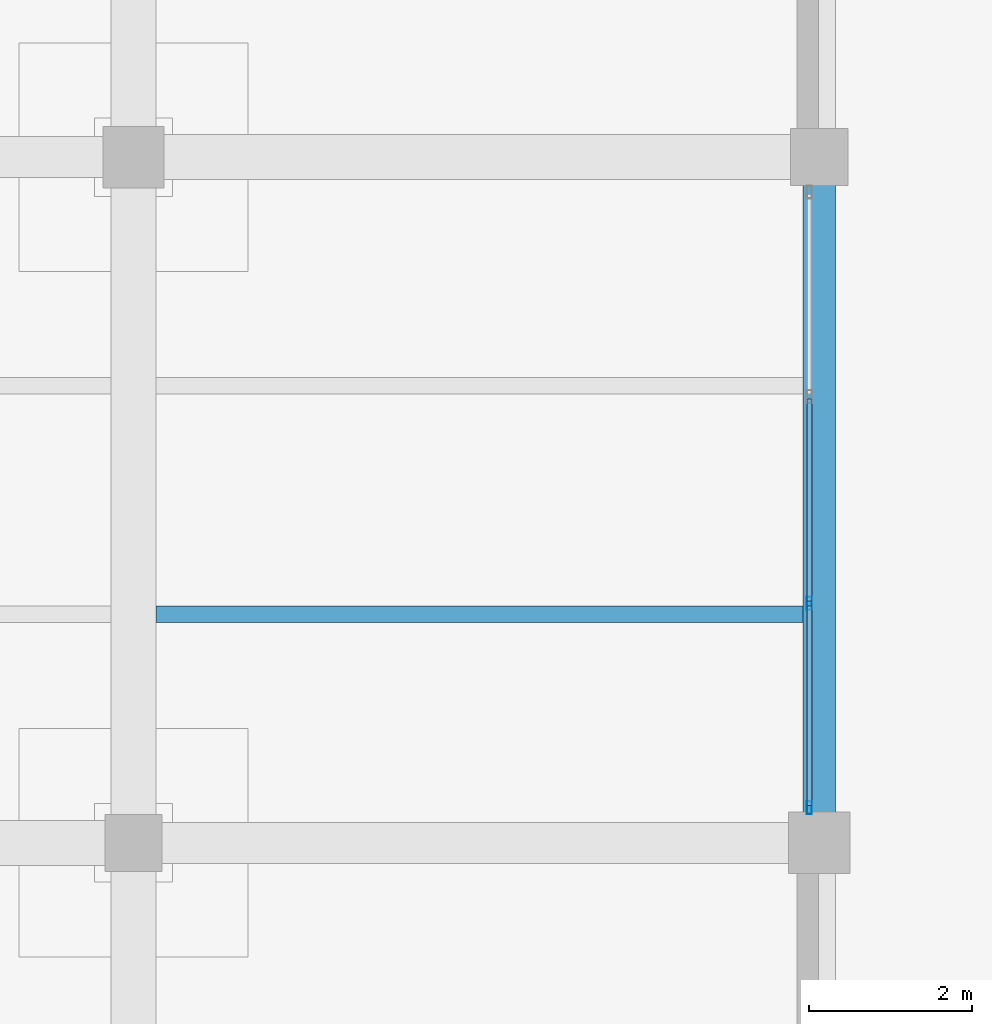
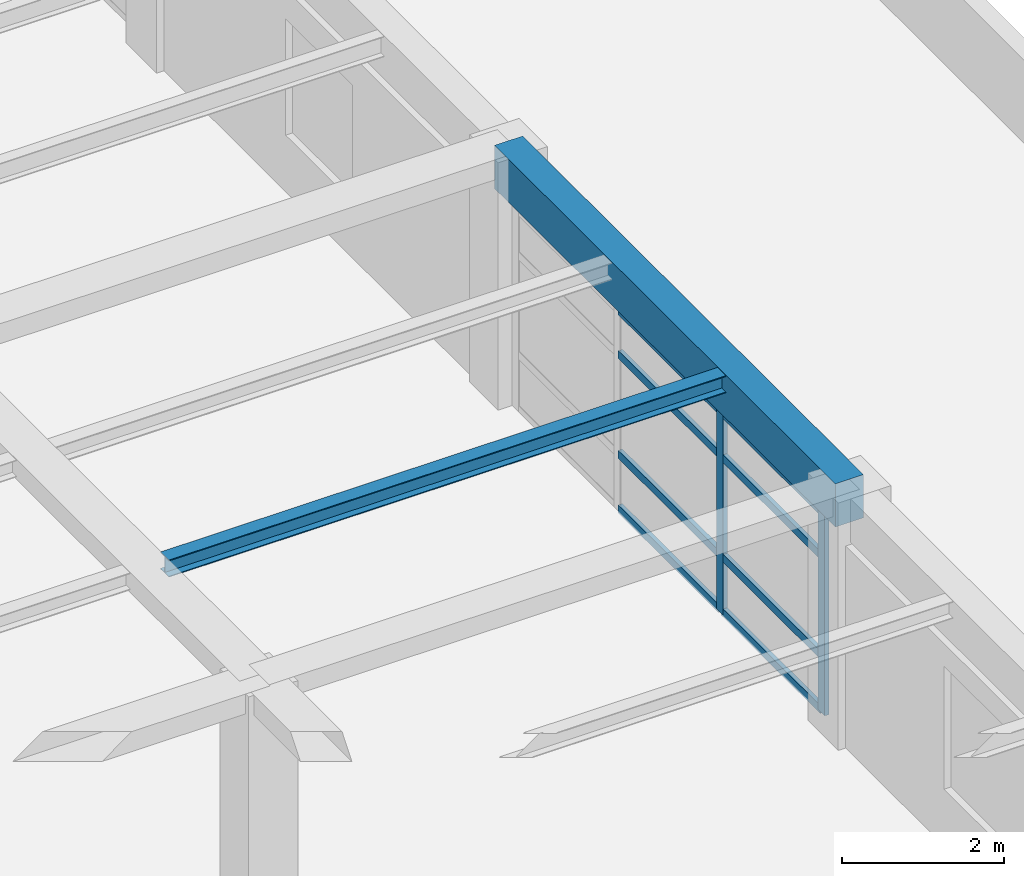
# One storey, part 18 of 35: 10 members, 2 beams, 1 element without a shape of its own.
"""IFC4 building model written with IfcOpenShell, lengths in metres."""

from ifc_helpers import new_model, si_unit, direction, frame, origin, origin_2d, place, context, subcontext, project, spatial, rectangle, hollow_rectangle, i_section, extrude, material, material_profile, profile_set, type_object, element, aggregate, save


model = new_model("IFC4")

# Units and contexts
model_context = context("Model", 3, precision=1e-05, world=origin(), true_north=direction((0.0, 1.0)))
body_context = subcontext(model_context, "Body", "Model", "MODEL_VIEW")
ifc_project = project(units=[si_unit("LENGTHUNIT", "METRE"), si_unit("AREAUNIT", "SQUARE_METRE"), si_unit("VOLUMEUNIT", "CUBIC_METRE"), si_unit("PLANEANGLEUNIT", "RADIAN"), si_unit("MASSUNIT", "GRAM", prefix="KILO")], contexts=[model_context])

# Site, building, storey
site_placement = place(None, origin())
site = spatial("IfcSite", under=ifc_project, at=site_placement, CompositionType="ELEMENT")
building_placement = place(site_placement, origin())
building = spatial("IfcBuilding", under=site, at=building_placement, Name="Almacenes y Pasaje Nevantli", CompositionType="ELEMENT")
storey_placement = place(building_placement, frame((0.0, 0.0, 26.699951171875)))
storey = spatial("IfcBuildingStorey", under=building, at=storey_placement, Name="L06", CompositionType="ELEMENT", Elevation=26.699951171875)

# Beams
ifc_material_1 = material(Name="Concrete C35/45", Category="concrete")
ifc_material_profile_1 = material_profile(ifc_material_1, rectangle(XDim=0.39990234375, YDim=0.64990234375, at=origin_2d()), Name="RC-BM-400x650")
ifc_profile_set_1 = profile_set([ifc_material_profile_1], Name="Concrete C35/45")
beam_type_1 = type_object("IfcBeamType", Name="BM-RC-400x650", PredefinedType="SPANDREL", material=ifc_profile_set_1)
beam_1_placement = place(storey_placement, frame((159.60009765625, 75.60009765625, 3.39501953125), z_axis=(0.0, 1.0, 0.0), x_axis=(-1.0, 0.0, 0.0)))
element("IfcBeam", 1, at=beam_1_placement, inside=storey, type_object=beam_type_1, Name="L06 North-South Reinforced Concrete Beam #3626", PredefinedType="SPANDREL", context=body_context, shape_type="SweptSolid", body=[
    extrude(rectangle(XDim=0.39990234375, YDim=0.64990234375, at=origin_2d()), origin(), (0.0, 0.0, 1.0), 8.39990234375),
])
ifc_material_2 = material(Name="Steel ASTM A992", Category="steel")
ifc_material_profile_2 = material_profile(ifc_material_2, i_section(OverallWidth=0.2041015625, OverallDepth=0.258056640625, WebThickness=0.008056640625, FlangeThickness=0.013427734375, at=origin_2d()), Name="IR 254x58.0")
ifc_profile_set_2 = profile_set([ifc_material_profile_2], Name="Steel ASTM A992")
beam_type_2 = type_object("IfcBeamType", Name="BM-STL-IR-254x58p0", PredefinedType="JOIST", material=ifc_profile_set_2)
beam_2_placement = place(storey_placement, frame((151.47509765625, 78.39990234375, 3.5830078125), z_axis=(1.0, 0.0, 0.0), x_axis=(0.0, 1.0, 0.0)))
element("IfcBeam", 2, at=beam_2_placement, inside=storey, type_object=beam_type_2, Name="L06 Secondary Steel Floor Joist #1381", PredefinedType="JOIST", context=body_context, shape_type="SweptSolid", body=[
    extrude(i_section(OverallWidth=0.2041015625, OverallDepth=0.258056640625, WebThickness=0.008056640625, FlangeThickness=0.013427734375, at=origin_2d()), origin(), (0.0, 0.0, 1.0), 7.9248046875),
])

# Curtain wall, members
ifc_material_3 = material(Name="Thermally Broken Aluminium and Low-E Glass", Category="aluminium")
curtain_wall_type = type_object("IfcCurtainWallType", Name="CW-UNIT-TOWER", PredefinedType="USERDEFINED", material=ifc_material_3)
curtain_wall_placement = place(storey_placement, origin())
curtain_wall = element("IfcCurtainWall", 3, at=curtain_wall_placement, inside=storey, type_object=curtain_wall_type, Name="L06 Tower East Curtain Wall Bay 10", ObjectType="UNITIZED CURTAIN WALL", PredefinedType="USERDEFINED")
ifc_material_4 = material(Name="Thermally Broken Anodized Aluminium", Category="aluminium")
ifc_material_profile_3 = material_profile(ifc_material_4, hollow_rectangle(XDim=0.06005859375, YDim=0.159912109375, WallThickness=0.00390625, at=origin_2d()), Name="ALU-MUL-60x160")
ifc_profile_set_3 = profile_set([ifc_material_profile_3], Name="Thermally Broken Anodized Aluminium")
member_type_1 = type_object("IfcMemberType", Name="CW-MUL-180", PredefinedType="MULLION", material=ifc_profile_set_3)
member_1_placement = place(storey_placement, frame((159.47998046875, 76.030029296875, 0.0), z_axis=(0.0, 0.0, 1.0), x_axis=(-1.0, 0.0, 0.0)))
member_1 = element("IfcMember", 4, at=member_1_placement, type_object=member_type_1, Name="CW-L06-109 mullion 1", PredefinedType="MULLION", context=body_context, shape_type="SweptSolid", body=[
    extrude(hollow_rectangle(XDim=0.06005859375, YDim=0.159912109375, WallThickness=0.00390625, at=origin_2d()), origin(), (0.0, 0.0, 1.0), 3.0400390625),
])
member_2_placement = place(storey_placement, frame((159.47998046875, 78.533447265625, 0.0), z_axis=(0.0, 0.0, 1.0), x_axis=(-1.0, 0.0, 0.0)))
member_2 = element("IfcMember", 5, at=member_2_placement, type_object=member_type_1, Name="CW-L06-109 mullion 2", PredefinedType="MULLION", context=body_context, shape_type="SweptSolid", body=[
    extrude(hollow_rectangle(XDim=0.06005859375, YDim=0.159912109375, WallThickness=0.00390625, at=origin_2d()), origin(), (0.0, 0.0, 1.0), 3.0400390625),
])
ifc_material_5 = material(Name="Thermally Broken Anodized Aluminium", Category="aluminium")
ifc_material_profile_4 = material_profile(ifc_material_5, hollow_rectangle(XDim=0.06005859375, YDim=0.1201171875, WallThickness=0.00341796875, at=origin_2d()), Name="ALU-TRN-60x120")
ifc_profile_set_4 = profile_set([ifc_material_profile_4], Name="Thermally Broken Anodized Aluminium")
member_type_2 = type_object("IfcMemberType", Name="CW-TRN-130", PredefinedType="USERDEFINED", material=ifc_profile_set_4)
member_3_placement = place(storey_placement, frame((159.47998046875, 76.06005859375, 0.030029296875), z_axis=(0.0, 1.0, 0.0), x_axis=(-1.0, 0.0, 0.0)))
member_3 = element("IfcMember", 6, at=member_3_placement, type_object=member_type_2, Name="CW-L06-109 transom 1.1", ObjectType="TRANSOM", PredefinedType="USERDEFINED", context=body_context, shape_type="SweptSolid", body=[
    extrude(hollow_rectangle(XDim=0.06005859375, YDim=0.1201171875, WallThickness=0.00341796875, at=origin_2d()), origin(), (0.0, 0.0, 1.0), 2.443359375),
])
member_4_placement = place(storey_placement, frame((159.47998046875, 76.06005859375, 0.85009765625), z_axis=(0.0, 1.0, 0.0), x_axis=(-1.0, 0.0, 0.0)))
member_4 = element("IfcMember", 7, at=member_4_placement, type_object=member_type_2, Name="CW-L06-109 transom 1.2", ObjectType="TRANSOM", PredefinedType="USERDEFINED", context=body_context, shape_type="SweptSolid", body=[
    extrude(hollow_rectangle(XDim=0.06005859375, YDim=0.1201171875, WallThickness=0.00341796875, at=origin_2d()), origin(), (0.0, 0.0, 1.0), 2.443359375),
])
member_5_placement = place(storey_placement, frame((159.47998046875, 76.06005859375, 2.35009765625), z_axis=(0.0, 1.0, 0.0), x_axis=(-1.0, 0.0, 0.0)))
member_5 = element("IfcMember", 8, at=member_5_placement, type_object=member_type_2, Name="CW-L06-109 transom 1.3", ObjectType="TRANSOM", PredefinedType="USERDEFINED", context=body_context, shape_type="SweptSolid", body=[
    extrude(hollow_rectangle(XDim=0.06005859375, YDim=0.1201171875, WallThickness=0.00341796875, at=origin_2d()), origin(), (0.0, 0.0, 1.0), 2.443359375),
])
member_6_placement = place(storey_placement, frame((159.47998046875, 76.06005859375, 3.010009765625), z_axis=(0.0, 1.0, 0.0), x_axis=(-1.0, 0.0, 0.0)))
member_6 = element("IfcMember", 9, at=member_6_placement, type_object=member_type_2, Name="CW-L06-109 transom 1.4", ObjectType="TRANSOM", PredefinedType="USERDEFINED", context=body_context, shape_type="SweptSolid", body=[
    extrude(hollow_rectangle(XDim=0.06005859375, YDim=0.1201171875, WallThickness=0.00341796875, at=origin_2d()), origin(), (0.0, 0.0, 1.0), 2.443359375),
])
member_7_placement = place(storey_placement, frame((159.47998046875, 78.563232421875, 0.030029296875), z_axis=(0.0, 1.0, 0.0), x_axis=(-1.0, 0.0, 0.0)))
member_7 = element("IfcMember", 10, at=member_7_placement, type_object=member_type_2, Name="CW-L06-109 transom 2.1", ObjectType="TRANSOM", PredefinedType="USERDEFINED", context=body_context, shape_type="SweptSolid", body=[
    extrude(hollow_rectangle(XDim=0.06005859375, YDim=0.1201171875, WallThickness=0.00341796875, at=origin_2d()), origin(), (0.0, 0.0, 1.0), 2.473388671875),
])
member_8_placement = place(storey_placement, frame((159.47998046875, 78.563232421875, 0.85009765625), z_axis=(0.0, 1.0, 0.0), x_axis=(-1.0, 0.0, 0.0)))
member_8 = element("IfcMember", 11, at=member_8_placement, type_object=member_type_2, Name="CW-L06-109 transom 2.2", ObjectType="TRANSOM", PredefinedType="USERDEFINED", context=body_context, shape_type="SweptSolid", body=[
    extrude(hollow_rectangle(XDim=0.06005859375, YDim=0.1201171875, WallThickness=0.00341796875, at=origin_2d()), origin(), (0.0, 0.0, 1.0), 2.473388671875),
])
member_9_placement = place(storey_placement, frame((159.47998046875, 78.563232421875, 2.35009765625), z_axis=(0.0, 1.0, 0.0), x_axis=(-1.0, 0.0, 0.0)))
member_9 = element("IfcMember", 12, at=member_9_placement, type_object=member_type_2, Name="CW-L06-109 transom 2.3", ObjectType="TRANSOM", PredefinedType="USERDEFINED", context=body_context, shape_type="SweptSolid", body=[
    extrude(hollow_rectangle(XDim=0.06005859375, YDim=0.1201171875, WallThickness=0.00341796875, at=origin_2d()), origin(), (0.0, 0.0, 1.0), 2.473388671875),
])
member_10_placement = place(storey_placement, frame((159.47998046875, 78.563232421875, 3.010009765625), z_axis=(0.0, 1.0, 0.0), x_axis=(-1.0, 0.0, 0.0)))
member_10 = element("IfcMember", 13, at=member_10_placement, type_object=member_type_2, Name="CW-L06-109 transom 2.4", ObjectType="TRANSOM", PredefinedType="USERDEFINED", context=body_context, shape_type="SweptSolid", body=[
    extrude(hollow_rectangle(XDim=0.06005859375, YDim=0.1201171875, WallThickness=0.00341796875, at=origin_2d()), origin(), (0.0, 0.0, 1.0), 2.473388671875),
])
aggregate(curtain_wall, [member_1, member_2, member_3, member_4, member_5, member_6, member_7, member_8, member_9, member_10])

save(model, "model.ifc")
